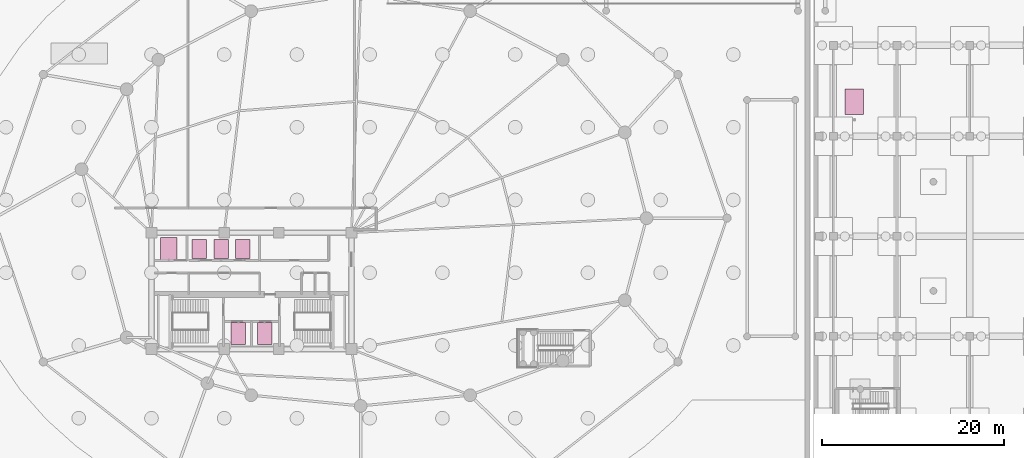
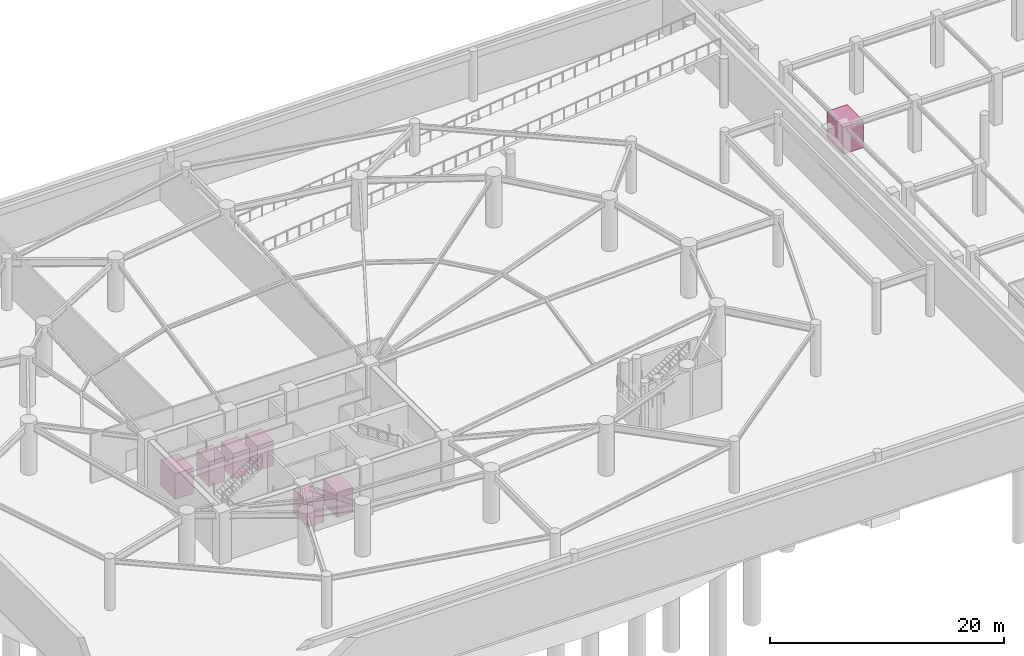
# One storey, part 22 of 22: 7 transport elements.
"""IFC4 building model written with IfcOpenShell, lengths in metres."""

from ifc_helpers import new_model, si_unit, direction, frame, origin, origin_2d, place, context, subcontext, project, spatial, rectangle, extrude, material, type_object, element, save


model = new_model("IFC4")

# Units and contexts
model_context = context("Model", 3, precision=1e-05, world=origin(), true_north=direction((0.0, 1.0)))
body_context = subcontext(model_context, "Body", "Model", "MODEL_VIEW")
ifc_project = project(units=[si_unit("LENGTHUNIT", "METRE"), si_unit("AREAUNIT", "SQUARE_METRE"), si_unit("VOLUMEUNIT", "CUBIC_METRE"), si_unit("PLANEANGLEUNIT", "RADIAN"), si_unit("MASSUNIT", "GRAM", prefix="KILO")], contexts=[model_context])

# Site, building, storey
site_placement = place(None, origin())
site = spatial("IfcSite", under=ifc_project, at=site_placement, CompositionType="ELEMENT")
building_placement = place(site_placement, origin())
building = spatial("IfcBuilding", under=site, at=building_placement, Name="Kazevale Care Tower and Concert Hall", CompositionType="ELEMENT")
storey_placement = place(building_placement, frame((0.0, 0.0, -5.39990234375)))
storey = spatial("IfcBuildingStorey", under=building, at=storey_placement, Name="B1", CompositionType="ELEMENT", Elevation=-5.39990234375)

# Transport elements
ifc_material = material(Name="Stainless Steel 316", Category="steel")
transport_element_type_1 = type_object("IfcTransportElementType", Name="Concert Hall Grand-Piano Elevator Car 2000x2800", PredefinedType="ELEVATOR", material=ifc_material)
transport_element_1_placement = place(storey_placement, frame((99.300048828125, 50.800048828125, 0.0), z_axis=(0.0, 0.0, 1.0), x_axis=(1.0, 0.0, 0.0)))
element("IfcTransportElement", 1, at=transport_element_1_placement, inside=storey, type_object=transport_element_type_1, Name="Elevator CHL-1", PredefinedType="ELEVATOR", context=body_context, shape_type="SweptSolid", body=[
    extrude(rectangle(XDim=2.0, YDim=2.800048828125, at=origin_2d()), origin(), (0.0, 0.0, 1.0), 2.800048828125),
])
transport_element_type_2 = type_object("IfcTransportElementType", Name="Firefighting Stretcher Elevator Car 1600x2400", PredefinedType="ELEVATOR", material=ifc_material)
for number, where, z_axis, x_axis, name in (
    (2, (31.550048828125, 25.300048828125, -0.000244140625), (0.0, 0.0, 1.0), (1.0, 0.0, 0.0), "Elevator FFL-1"),
    (3, (34.449951171875, 25.300048828125, -0.000244140625), (0.0, 0.0, 1.0), (1.0, 0.0, 0.0), "Elevator FFL-2"),
):
    element("IfcTransportElement", number, at=place(storey_placement, frame(where, z_axis=z_axis, x_axis=x_axis)), inside=storey, type_object=transport_element_type_2, Name=name, PredefinedType="ELEVATOR", context=body_context, shape_type="SweptSolid", body=[
        extrude(rectangle(XDim=1.60009765625, YDim=2.39990234375, at=origin_2d()), origin(), (0.0, 0.0, 1.0), 2.60009765625),
    ])
transport_element_type_3 = type_object("IfcTransportElementType", Name="Medical Bed Service Elevator Car 1800x2500", PredefinedType="ELEVATOR", material=ifc_material)
transport_element_2_placement = place(storey_placement, frame((23.89990234375, 34.60009765625, 0.0), z_axis=(0.0, 0.0, 1.0), x_axis=(1.0, 0.0, 0.0)))
element("IfcTransportElement", 4, at=transport_element_2_placement, inside=storey, type_object=transport_element_type_3, Name="Elevator SVL-1", PredefinedType="ELEVATOR", context=body_context, shape_type="SweptSolid", body=[
    extrude(rectangle(XDim=1.800048828125, YDim=2.5, at=origin_2d()), origin(), (0.0, 0.0, 1.0), 2.699951171875),
])
transport_element_type_4 = type_object("IfcTransportElementType", Name="Passenger Elevator Car 1600x2100", PredefinedType="ELEVATOR", material=ifc_material)
for number, where, z_axis, x_axis, name in (
    (5, (27.25, 34.60009765625, -0.000244140625), (0.0, 0.0, 1.0), (1.0, 0.0, 0.0), "Elevator PL-1"),
    (6, (29.64990234375, 34.60009765625, -0.000244140625), (0.0, 0.0, 1.0), (1.0, 0.0, 0.0), "Elevator PL-2"),
    (7, (32.050048828125, 34.60009765625, -0.000244140625), (0.0, 0.0, 1.0), (1.0, 0.0, 0.0), "Elevator PL-3"),
):
    element("IfcTransportElement", number, at=place(storey_placement, frame(where, z_axis=z_axis, x_axis=x_axis)), inside=storey, type_object=transport_element_type_4, Name=name, PredefinedType="ELEVATOR", context=body_context, shape_type="SweptSolid", body=[
        extrude(rectangle(XDim=1.60009765625, YDim=2.10009765625, at=origin_2d()), origin(), (0.0, 0.0, 1.0), 2.60009765625),
    ])

save(model, "model.ifc")
